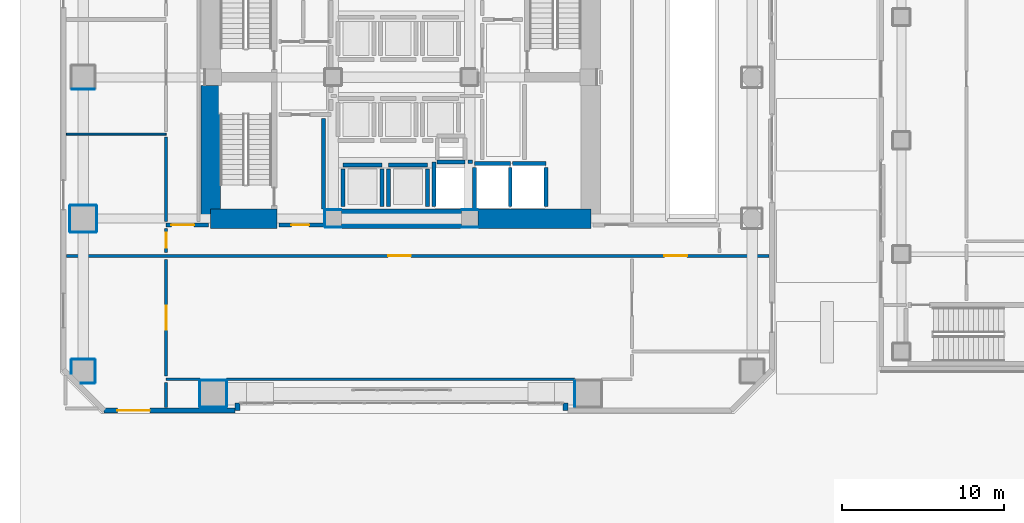
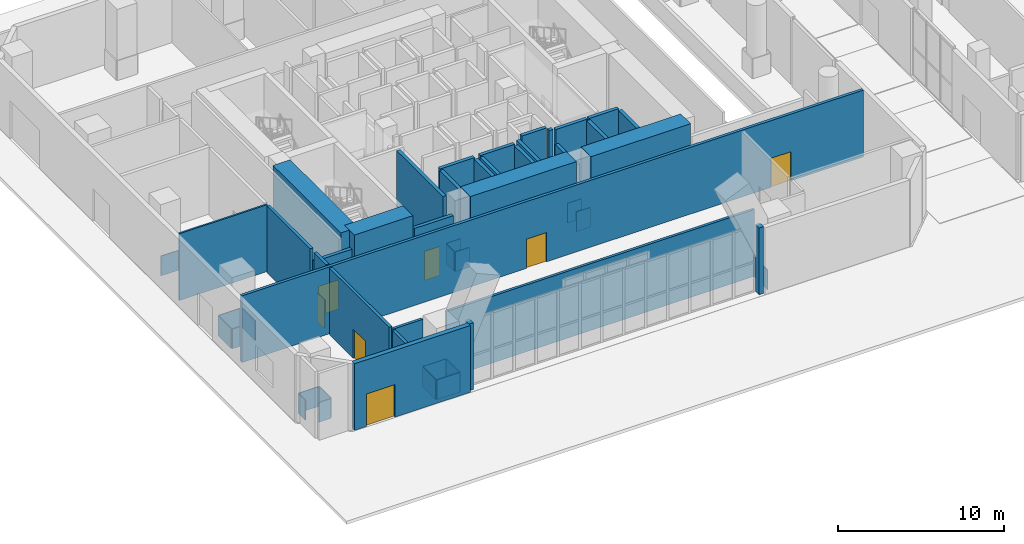
# One storey, part 19 of 30: 51 walls, 7 doors, 7 openings.
"""IFC4 building model written with IfcOpenShell, lengths in metres."""

from ifc_helpers import new_model, si_unit, direction, frame, frame_2d, origin, place, context, subcontext, project, spatial, rectangle, extrude, material, layer, layer_set, type_object, element, fill, save


model = new_model("IFC4")

# Units and contexts
model_context = context("Model", 3, precision=1e-05, world=origin(), true_north=direction((0.0, 1.0)))
body_context = subcontext(model_context, "Body", "Model", "MODEL_VIEW")
ifc_project = project(units=[si_unit("LENGTHUNIT", "METRE"), si_unit("AREAUNIT", "SQUARE_METRE"), si_unit("VOLUMEUNIT", "CUBIC_METRE"), si_unit("PLANEANGLEUNIT", "RADIAN"), si_unit("MASSUNIT", "GRAM", prefix="KILO")], contexts=[model_context])

# Site, building, storey
site_placement = place(None, origin())
site = spatial("IfcSite", under=ifc_project, at=site_placement, CompositionType="ELEMENT")
building_placement = place(site_placement, origin())
building = spatial("IfcBuilding", under=site, at=building_placement, Name="Solanera Arch Residences", CompositionType="ELEMENT")
storey_placement = place(building_placement, origin())
storey = spatial("IfcBuildingStorey", under=building, at=storey_placement, Name="L00", CompositionType="ELEMENT", Elevation=0.0)

# Walls
ifc_material_1 = material(Name="Fire-Rated Gypsum Stud Partition", Category="gypsum")
ifc_layer_1 = layer(ifc_material_1, 0.06005859375)
ifc_layer_set_1 = layer_set([ifc_layer_1], Name="Fire-Rated Gypsum Stud Partition")
wall_type_1 = type_object("IfcWallType", Name="Column Acoustic Furring Wall 60", PredefinedType="PARTITIONING", material=ifc_layer_set_1)
for number, where, z_axis, x_axis, name in (
    (1, (20.300048828125, 21.468017578125, 0.0), (0.0, 0.0, 1.0), (1.0, 0.0, 0.0), "L00 Column Furring 1S"),
    (2, (20.300048828125, 22.531982421875, 0.0), (0.0, 0.0, 1.0), (1.0, 0.0, 0.0), "L00 Column Furring 1N"),
):
    element("IfcWall", number, at=place(storey_placement, frame(where, z_axis=z_axis, x_axis=x_axis)), inside=storey, type_object=wall_type_1, Name=name, PredefinedType="PARTITIONING", context=body_context, shape_type="SweptSolid", body=[
        extrude(rectangle(XDim=0.989990234375, YDim=0.06005859375, at=frame_2d((0.4951171875, 0.0))), origin(), (0.0, 0.0, 1.0), 1.449951171875),
    ])
wall_1_placement = place(storey_placement, frame((20.26806640625, 21.5, 0.0), z_axis=(0.0, 0.0, 1.0), x_axis=(0.0, 1.0, 0.0)))
element("IfcWall", 3, at=wall_1_placement, inside=storey, type_object=wall_type_1, Name="L00 Column Furring 1W", PredefinedType="PARTITIONING", context=body_context, shape_type="SweptSolid", body=[
    extrude(rectangle(XDim=1.0, YDim=0.06005859375, at=frame_2d((0.5, 0.0))), origin(), (0.0, 0.0, 1.0), 1.449951171875),
])
for number, where, z_axis, x_axis, name in (
    (4, (28.7099609375, 21.468017578125, 0.0), (0.0, 0.0, 1.0), (1.0, 0.0, 0.0), "L00 Column Furring 2S"),
    (5, (28.7099609375, 22.531982421875, 0.0), (0.0, 0.0, 1.0), (1.0, 0.0, 0.0), "L00 Column Furring 2N"),
):
    element("IfcWall", number, at=place(storey_placement, frame(where, z_axis=z_axis, x_axis=x_axis)), inside=storey, type_object=wall_type_1, Name=name, PredefinedType="PARTITIONING", context=body_context, shape_type="SweptSolid", body=[
        extrude(rectangle(XDim=0.97998046875, YDim=0.06005859375, at=frame_2d((0.489990234375, 0.0))), origin(), (0.0, 0.0, 1.0), 1.449951171875),
    ])
for number, where, z_axis, x_axis, name in (
    (6, (12.60009765625, 10.367919921875, 0.0), (0.0, 0.0, 1.0), (1.0, 0.0, 0.0), "L00 Column Furring 9S"),
    (7, (12.60009765625, 12.031982421875, 0.0), (0.0, 0.0, 1.0), (1.0, 0.0, 0.0), "L00 Column Furring 9N"),
):
    element("IfcWall", number, at=place(storey_placement, frame(where, z_axis=z_axis, x_axis=x_axis)), inside=storey, type_object=wall_type_1, Name=name, PredefinedType="PARTITIONING", context=body_context, shape_type="SweptSolid", body=[
        extrude(rectangle(XDim=1.599853515625, YDim=0.06005859375, at=frame_2d((0.7998046875, 0.0))), origin(), (0.0, 0.0, 1.0), 1.449951171875),
    ])
for number, where, z_axis, x_axis, name in (
    (8, (12.568115234375, 10.39990234375, 0.0), (0.0, 0.0, 1.0), (0.0, 1.0, 0.0), "L00 Column Furring 9W"),
    (9, (14.23193359375, 10.39990234375, 0.0), (0.0, 0.0, 1.0), (0.0, 1.0, 0.0), "L00 Column Furring 9E"),
    (10, (35.66796875, 10.39990234375, 0.0), (0.0, 0.0, 1.0), (0.0, 1.0, 0.0), "L00 Column Furring 10W"),
):
    element("IfcWall", number, at=place(storey_placement, frame(where, z_axis=z_axis, x_axis=x_axis)), inside=storey, type_object=wall_type_1, Name=name, PredefinedType="PARTITIONING", context=body_context, shape_type="SweptSolid", body=[
        extrude(rectangle(XDim=1.60009765625, YDim=0.06005859375, at=frame_2d((0.800048828125, 0.0))), origin(), (0.0, 0.0, 1.0), 1.449951171875),
    ])
for number, where, z_axis, x_axis, name in (
    (11, (4.60009765625, 21.16796875, 0.0), (0.0, 0.0, 1.0), (1.0, 0.0, 0.0), "L00 Column Furring 15S"),
    (12, (4.60009765625, 22.83203125, 0.0), (0.0, 0.0, 1.0), (1.0, 0.0, 0.0), "L00 Column Furring 15N"),
):
    element("IfcWall", number, at=place(storey_placement, frame(where, z_axis=z_axis, x_axis=x_axis)), inside=storey, type_object=wall_type_1, Name=name, PredefinedType="PARTITIONING", context=body_context, shape_type="SweptSolid", body=[
        extrude(rectangle(XDim=1.599853515625, YDim=0.06005859375, at=frame_2d((0.7998046875, 0.0))), origin(), (0.0, 0.0, 1.0), 1.449951171875),
    ])
for number, where, z_axis, x_axis, name in (
    (13, (4.568115234375, 21.199951171875, 0.0), (0.0, 0.0, 1.0), (0.0, 1.0, 0.0), "L00 Column Furring 15W"),
    (14, (6.23193359375, 21.199951171875, 0.0), (0.0, 0.0, 1.0), (0.0, 1.0, 0.0), "L00 Column Furring 15E"),
):
    element("IfcWall", number, at=place(storey_placement, frame(where, z_axis=z_axis, x_axis=x_axis)), inside=storey, type_object=wall_type_1, Name=name, PredefinedType="PARTITIONING", context=body_context, shape_type="SweptSolid", body=[
        extrude(rectangle(XDim=1.60009765625, YDim=0.06005859375, at=frame_2d((0.800048828125, 0.0))), origin(), (0.0, 0.0, 1.0), 1.449951171875),
    ])
wall_2_placement = place(storey_placement, frame((4.699951171875, 29.968017578125, 0.0), z_axis=(0.0, 0.0, 1.0), x_axis=(1.0, 0.0, 0.0)))
element("IfcWall", 15, at=wall_2_placement, inside=storey, type_object=wall_type_1, Name="L00 Column Furring 16S", PredefinedType="PARTITIONING", context=body_context, shape_type="SweptSolid", body=[
    extrude(rectangle(XDim=1.400146484375, YDim=0.06005859375, at=frame_2d((0.7001953125, 0.0))), origin(), (0.0, 0.0, 1.0), 1.449951171875),
])
wall_3_placement = place(storey_placement, frame((5.239013671875, 11.867919921875, 0.0), z_axis=(0.0, 0.0, 1.0), x_axis=(1.0, 0.0, 0.0)))
element("IfcWall", 16, at=wall_3_placement, inside=storey, type_object=wall_type_1, Name="L00 Column Furring 21S", PredefinedType="PARTITIONING", context=body_context, shape_type="SweptSolid", body=[
    extrude(rectangle(XDim=0.861083984375, YDim=0.06005859375, at=frame_2d((0.4306640625, 0.0))), origin(), (0.0, 0.0, 1.0), 1.449951171875),
])
wall_4_placement = place(storey_placement, frame((4.699951171875, 13.33203125, 0.0), z_axis=(0.0, 0.0, 1.0), x_axis=(1.0, 0.0, 0.0)))
element("IfcWall", 17, at=wall_4_placement, inside=storey, type_object=wall_type_1, Name="L00 Column Furring 21N", PredefinedType="PARTITIONING", context=body_context, shape_type="SweptSolid", body=[
    extrude(rectangle(XDim=1.400146484375, YDim=0.06005859375, at=frame_2d((0.7001953125, 0.0))), origin(), (0.0, 0.0, 1.0), 1.449951171875),
])
wall_5_placement = place(storey_placement, frame((4.66796875, 12.43896484375, 0.0), z_axis=(0.0, 0.0, 1.0), x_axis=(0.0, 1.0, 0.0)))
element("IfcWall", 18, at=wall_5_placement, inside=storey, type_object=wall_type_1, Name="L00 Column Furring 21W", PredefinedType="PARTITIONING", context=body_context, shape_type="SweptSolid", body=[
    extrude(rectangle(XDim=0.861083984375, YDim=0.06005859375, at=frame_2d((0.4306640625, 0.0))), origin(), (0.0, 0.0, 1.0), 1.449951171875),
])
wall_6_placement = place(storey_placement, frame((6.132080078125, 11.89990234375, 0.0), z_axis=(0.0, 0.0, 1.0), x_axis=(0.0, 1.0, 0.0)))
element("IfcWall", 19, at=wall_6_placement, inside=storey, type_object=wall_type_1, Name="L00 Column Furring 21E", PredefinedType="PARTITIONING", context=body_context, shape_type="SweptSolid", body=[
    extrude(rectangle(XDim=1.400146484375, YDim=0.06005859375, at=frame_2d((0.7001953125, 0.0))), origin(), (0.0, 0.0, 1.0), 1.449951171875),
])
ifc_material_2 = material(Name="Concrete C55/67 (f'c = 60 MPa)", Category="concrete")
ifc_layer_2 = layer(ifc_material_2, 1.199951171875)
ifc_layer_set_2 = layer_set([ifc_layer_2], Name="Concrete C55/67 (f'c = 60 MPa)")
wall_type_2 = type_object("IfcWallType", Name="Core Shear Wall CW-1200", PredefinedType="SHEAR", material=ifc_layer_set_2)
wall_7_placement = place(storey_placement, frame((13.239990234375, 22.0, 0.0), z_axis=(0.0, 0.0, 1.0), x_axis=(0.0, 1.0, 0.0)))
element("IfcWall", 20, at=wall_7_placement, inside=storey, type_object=wall_type_2, Name="L00 West Core South Shear Wall", PredefinedType="SHEAR", context=body_context, shape_type="SweptSolid", body=[
    extrude(rectangle(XDim=8.195068359375, YDim=1.199951171875, at=frame_2d((4.09765625, 0.0))), origin(), (0.0, 0.0, 1.0), 5.199951171875),
])
wall_8_placement = place(storey_placement, frame((13.239990234375, 22.0, 0.0), z_axis=(0.0, 0.0, 1.0), x_axis=(1.0, 0.0, 0.0)))
element("IfcWall", 21, at=wall_8_placement, inside=storey, type_object=wall_type_2, Name="L00 South-West Core Shear Wall", PredefinedType="SHEAR", context=body_context, shape_type="SweptSolid", body=[
    extrude(rectangle(XDim=4.080078125, YDim=1.199951171875, at=frame_2d((2.0400390625, 0.0))), origin(), (0.0, 0.0, 1.0), 5.199951171875),
])
wall_9_placement = place(storey_placement, frame((29.705078125, 22.0, 0.0), z_axis=(0.0, 0.0, 1.0), x_axis=(1.0, 0.0, 0.0)))
element("IfcWall", 22, at=wall_9_placement, inside=storey, type_object=wall_type_2, Name="L00 South-East Core Shear Wall", PredefinedType="SHEAR", context=body_context, shape_type="SweptSolid", body=[
    extrude(rectangle(XDim=6.954833984375, YDim=1.199951171875, at=frame_2d((3.4775390625, 0.0))), origin(), (0.0, 0.0, 1.0), 5.199951171875),
])
wall_10_placement = place(storey_placement, frame((21.304931640625, 22.0, 0.0), z_axis=(0.0, 0.0, 1.0), x_axis=(1.0, 0.0, 0.0)))
element("IfcWall", 23, at=wall_10_placement, inside=storey, type_object=wall_type_2, Name="L00 Central South Core Shear Wall", PredefinedType="SHEAR", context=body_context, shape_type="SweptSolid", body=[
    extrude(rectangle(XDim=7.39013671875, YDim=1.199951171875, at=frame_2d((3.695068359375, 0.0))), origin(), (0.0, 0.0, 1.0), 5.199951171875),
])
ifc_material_3 = material(Name="Autoclaved Aerated Concrete Blockwork", Category="masonry")
ifc_layer_3 = layer(ifc_material_3, 0.179931640625)
ifc_layer_set_3 = layer_set([ifc_layer_3], Name="Autoclaved Aerated Concrete Blockwork")
wall_type_3 = type_object("IfcWallType", Name="Corridor Fire Partition 180", PredefinedType="PARTITIONING", material=ifc_layer_set_3)
wall_11_placement = place(storey_placement, frame((10.5, 12.10009765625, 0.0), z_axis=(0.0, 0.0, 1.0), x_axis=(1.0, 0.0, 0.0)))
element("IfcWall", 24, at=wall_11_placement, inside=storey, type_object=wall_type_3, Name="L00 Interior Partition H10 1", PredefinedType="PARTITIONING", context=body_context, shape_type="SweptSolid", body=[
    extrude(rectangle(XDim=2.080078125, YDim=0.179931640625, at=frame_2d((1.0400390625, 0.0))), origin(), (0.0, 0.0, 1.0), 4.919921875),
])
wall_12_placement = place(storey_placement, frame((14.219970703125, 12.10009765625, 0.0), z_axis=(0.0, 0.0, 1.0), x_axis=(1.0, 0.0, 0.0)))
element("IfcWall", 25, at=wall_12_placement, inside=storey, type_object=wall_type_3, Name="L00 Interior Partition H10 2", PredefinedType="PARTITIONING", context=body_context, shape_type="SweptSolid", body=[
    extrude(rectangle(XDim=21.4599609375, YDim=0.179931640625, at=frame_2d((10.72998046875, 0.0))), origin(), (0.0, 0.0, 1.0), 4.919921875),
])
ifc_material_4 = material(Name="Precast Concrete C35/45", Category="concrete")
ifc_layer_4 = layer(ifc_material_4, 0.320068359375)
ifc_layer_set_4 = layer_set([ifc_layer_4], Name="Precast Concrete C35/45")
wall_type_4 = type_object("IfcWallType", Name="Exterior Wall Precast Masonry-Frame 320", PredefinedType="STANDARD", material=ifc_layer_set_4)
for number, where, z_axis, x_axis, name in (
    (26, (35.10009765625, 10.179931640625, 0.0), (0.0, 0.0, 1.0), (0.0, 1.0, 0.0), "L00 Podium Arch East Reveal Jamb"),
    (27, (14.89990234375, 10.6298828125, 0.0), (0.0, 0.0, 1.0), (0.0, -1.0, 0.0), "L00 Podium Arch West Reveal Jamb"),
):
    element("IfcWall", number, at=place(storey_placement, frame(where, z_axis=z_axis, x_axis=x_axis)), inside=storey, type_object=wall_type_4, Name=name, PredefinedType="STANDARD", context=body_context, shape_type="SweptSolid", body=[
        extrude(rectangle(XDim=0.449951171875, YDim=0.320068359375, at=frame_2d((0.22509765625, 0.0))), origin(), (0.0, 0.0, 1.0), 4.919921875),
    ])

# Wall, opening, door
wall_13_placement = place(storey_placement, frame((14.739990234375, 10.179931640625, 0.0), z_axis=(0.0, 0.0, 1.0), x_axis=(-1.0, 0.0, 0.0)))
wall_13 = element("IfcWall", 28, at=wall_13_placement, inside=storey, type_object=wall_type_4, Name="L00 Podium South-West Precast Pier Wall", PredefinedType="STANDARD", context=body_context, shape_type="SweptSolid", body=[
    extrude(rectangle(XDim=8.06005859375, YDim=0.320068359375, at=frame_2d((4.030029296875, 0.0))), origin(), (0.0, 0.0, 1.0), 4.919921875),
])
opening_1_placement = place(wall_13_placement, frame((5.239990234375, 0.0, 0.0)))
opening_1 = element("IfcOpeningElement", 29, at=opening_1_placement, cuts=wall_13, Name="Opening EX-01", PredefinedType="OPENING", context=body_context, shape_type="SweptSolid", body=[
    extrude(rectangle(XDim=2.0, YDim=2.39990234375, at=frame_2d((1.0, 1.199951171875))), frame((0.0, 0.169921875, 0.0), z_axis=(0.0, -1.0, 0.0), x_axis=(1.0, 0.0, 0.0)), (0.0, 0.0, 1.0), 0.3401),
])
ifc_material_5 = material(Name="Anodised Aluminium Alloy 6063-T6", Category="aluminium")
door_type_1 = type_object("IfcDoorType", Name="Ground Final Exit Double Door EX-01", OperationType="NOTDEFINED", PredefinedType="DOOR", material=ifc_material_5)
door_1_placement = place(opening_1_placement, origin())
door_1 = element("IfcDoor", 30, at=door_1_placement, inside=storey, type_object=door_type_1, Name="DR-L00-EX-TWR-S", OperationType="DOUBLE_DOOR_SINGLE_SWING", OverallHeight=2.39990234375, OverallWidth=2.0, PredefinedType="DOOR", context=body_context, shape_type="SweptSolid", body=[
    extrude(rectangle(XDim=2.0, YDim=2.39990234375, at=frame_2d((1.0, 1.199951171875))), frame((0.0, 0.02490234375, 0.0), z_axis=(0.0, -1.0, 0.0), x_axis=(1.0, 0.0, 0.0)), (0.0, 0.0, 1.0), 0.050048828125),
])
fill(opening_1, door_1)

# Wall, openings, doors
ifc_material_6 = material(Name="Autoclaved Aerated Concrete Blockwork", Category="masonry")
ifc_layer_5 = layer(ifc_material_6, 0.199951171875)
ifc_layer_set_5 = layer_set([ifc_layer_5], Name="Autoclaved Aerated Concrete Blockwork")
wall_type_5 = type_object("IfcWallType", Name="Party Wall Acoustic 200", PredefinedType="PARTITIONING", material=ifc_layer_set_5)
wall_14_placement = place(storey_placement, frame((4.35205078125, 19.699951171875, 0.0), z_axis=(0.0, 0.0, 1.0), x_axis=(1.0, 0.0, 0.0)))
wall_14 = element("IfcWall", 31, at=wall_14_placement, inside=storey, type_object=wall_type_5, Name="L00 Interior Partition H8", PredefinedType="PARTITIONING", context=body_context, shape_type="SweptSolid", body=[
    extrude(rectangle(XDim=43.2958984375, YDim=0.199951171875, at=frame_2d((21.64794921875, 0.0))), origin(), (0.0, 0.0, 1.0), 4.919921875),
])
opening_2_placement = place(wall_14_placement, frame((19.822998046875, 0.0, 0.0)))
opening_2 = element("IfcOpeningElement", 32, at=opening_2_placement, cuts=wall_14, Name="Opening DF-03", PredefinedType="OPENING", context=body_context, shape_type="SweptSolid", body=[
    extrude(rectangle(XDim=1.39990234375, YDim=2.14990234375, at=frame_2d((0.699951171875, 1.074951171875))), frame((0.0, 0.110107421875, 0.0), z_axis=(0.0, -1.0, 0.0), x_axis=(1.0, 0.0, 0.0)), (0.0, 0.0, 1.0), 0.22),
])
opening_3_placement = place(wall_14_placement, frame((36.847900390625, 0.0, 0.0)))
opening_3 = element("IfcOpeningElement", 33, at=opening_3_placement, cuts=wall_14, Name="Opening DF-03", PredefinedType="OPENING", context=body_context, shape_type="SweptSolid", body=[
    extrude(rectangle(XDim=1.39990234375, YDim=2.14990234375, at=frame_2d((0.699951171875, 1.074951171875))), frame((0.0, 0.110107421875, 0.0), z_axis=(0.0, -1.0, 0.0), x_axis=(1.0, 0.0, 0.0)), (0.0, 0.0, 1.0), 0.22),
])
ifc_material_7 = material(Name="Fire-Rated Architectural Hardwood", Category="wood")
door_type_2 = type_object("IfcDoorType", Name="Corridor Smoke Door DF-03", OperationType="NOTDEFINED", PredefinedType="DOOR", material=ifc_material_7)
door_2_placement = place(opening_2_placement, origin())
door_2 = element("IfcDoor", 34, at=door_2_placement, inside=storey, type_object=door_type_2, Name="DR-L00-IN-017", OperationType="SINGLE_SWING_LEFT", OverallHeight=2.14990234375, OverallWidth=1.39990234375, PredefinedType="DOOR", context=body_context, shape_type="SweptSolid", body=[
    extrude(rectangle(XDim=1.39990234375, YDim=2.14990234375, at=frame_2d((0.699951171875, 1.074951171875))), frame((0.0, 0.02490234375, 0.0), z_axis=(0.0, -1.0, 0.0), x_axis=(1.0, 0.0, 0.0)), (0.0, 0.0, 1.0), 0.050048828125),
])
fill(opening_2, door_2)
door_3_placement = place(opening_3_placement, origin())
door_3 = element("IfcDoor", 35, at=door_3_placement, inside=storey, type_object=door_type_2, Name="DR-L00-IN-018", OperationType="SINGLE_SWING_RIGHT", OverallHeight=2.14990234375, OverallWidth=1.39990234375, PredefinedType="DOOR", context=body_context, shape_type="SweptSolid", body=[
    extrude(rectangle(XDim=1.39990234375, YDim=2.14990234375, at=frame_2d((0.699951171875, 1.074951171875))), frame((0.0, 0.02490234375, 0.0), z_axis=(0.0, -1.0, 0.0), x_axis=(1.0, 0.0, 0.0)), (0.0, 0.0, 1.0), 0.050048828125),
])
fill(opening_3, door_3)

# Wall
wall_15_placement = place(storey_placement, frame((10.5, 10.35205078125, 0.0), z_axis=(0.0, 0.0, 1.0), x_axis=(0.0, 1.0, 0.0)))
element("IfcWall", 36, at=wall_15_placement, inside=storey, type_object=wall_type_5, Name="L00 Interior Partition V8 1", PredefinedType="PARTITIONING", context=body_context, shape_type="SweptSolid", body=[
    extrude(rectangle(XDim=1.550048828125, YDim=0.199951171875, at=frame_2d((0.77490234375, 0.0))), origin(), (0.0, 0.0, 1.0), 4.919921875),
])

# Wall, opening, door
wall_16_placement = place(storey_placement, frame((10.5, 12.298095703125, 0.0), z_axis=(0.0, 0.0, 1.0), x_axis=(0.0, 1.0, 0.0)))
wall_16 = element("IfcWall", 37, at=wall_16_placement, inside=storey, type_object=wall_type_5, Name="L00 Interior Partition V8 2", PredefinedType="PARTITIONING", context=body_context, shape_type="SweptSolid", body=[
    extrude(rectangle(XDim=7.19384765625, YDim=0.199951171875, at=frame_2d((3.596923828125, 0.0))), origin(), (0.0, 0.0, 1.0), 4.919921875),
])
opening_4_placement = place(wall_16_placement, frame((2.837890625, 0.0, 0.0)))
opening_4 = element("IfcOpeningElement", 38, at=opening_4_placement, cuts=wall_16, Name="Opening DP-01", PredefinedType="OPENING", context=body_context, shape_type="SweptSolid", body=[
    extrude(rectangle(XDim=1.5, YDim=2.14990234375, at=frame_2d((0.75, 1.074951171875))), frame((0.0, 0.110107421875, 0.0), z_axis=(0.0, -1.0, 0.0), x_axis=(1.0, 0.0, 0.0)), (0.0, 0.0, 1.0), 0.22),
])
ifc_material_8 = material(Name="Fire-Rated Architectural Hardwood", Category="wood")
door_type_3 = type_object("IfcDoorType", Name="Plant Double Fire Door DP-01", OperationType="NOTDEFINED", PredefinedType="DOOR", material=ifc_material_8)
door_4_placement = place(opening_4_placement, origin())
door_4 = element("IfcDoor", 39, at=door_4_placement, inside=storey, type_object=door_type_3, Name="DR-L00-IN-032", OperationType="SINGLE_SWING_RIGHT", OverallHeight=2.14990234375, OverallWidth=1.5, PredefinedType="DOOR", context=body_context, shape_type="SweptSolid", body=[
    extrude(rectangle(XDim=1.5, YDim=2.14990234375, at=frame_2d((0.75, 1.074951171875))), frame((0.0, 0.02490234375, 0.0), z_axis=(0.0, -1.0, 0.0), x_axis=(1.0, 0.0, 0.0)), (0.0, 0.0, 1.0), 0.050048828125),
])
fill(opening_4, door_4)

wall_17_placement = place(storey_placement, frame((10.5, 19.907958984375, 0.0), z_axis=(0.0, 0.0, 1.0), x_axis=(0.0, 1.0, 0.0)))
wall_17 = element("IfcWall", 40, at=wall_17_placement, inside=storey, type_object=wall_type_5, Name="L00 Interior Partition V8 3", PredefinedType="PARTITIONING", context=body_context, shape_type="SweptSolid", body=[
    extrude(rectangle(XDim=1.464111328125, YDim=0.199951171875, at=frame_2d((0.73193359375, 0.0))), origin(), (0.0, 0.0, 1.0), 4.919921875),
])
opening_5_placement = place(wall_17_placement, frame((0.305908203125, 0.0, 0.0)))
opening_5 = element("IfcOpeningElement", 41, at=opening_5_placement, cuts=wall_17, Name="Opening DI-02", PredefinedType="OPENING", context=body_context, shape_type="SweptSolid", body=[
    extrude(rectangle(XDim=0.89990234375, YDim=2.10009765625, at=frame_2d((0.449951171875, 1.050048828125))), frame((0.0, 0.110107421875, 0.0), z_axis=(0.0, -1.0, 0.0), x_axis=(1.0, 0.0, 0.0)), (0.0, 0.0, 1.0), 0.22),
])
ifc_material_9 = material(Name="Fire-Rated Architectural Hardwood", Category="wood")
door_type_4 = type_object("IfcDoorType", Name="Suite Room Swing Door DI-02", OperationType="NOTDEFINED", PredefinedType="DOOR", material=ifc_material_9)
door_5_placement = place(opening_5_placement, origin())
door_5 = element("IfcDoor", 42, at=door_5_placement, inside=storey, type_object=door_type_4, Name="DR-L00-IN-033", OperationType="SINGLE_SWING_LEFT", OverallHeight=2.10009765625, OverallWidth=0.89990234375, PredefinedType="DOOR", context=body_context, shape_type="SweptSolid", body=[
    extrude(rectangle(XDim=0.89990234375, YDim=2.10009765625, at=frame_2d((0.449951171875, 1.050048828125))), frame((0.0, 0.02490234375, 0.0), z_axis=(0.0, -1.0, 0.0), x_axis=(1.0, 0.0, 0.0)), (0.0, 0.0, 1.0), 0.050048828125),
])
fill(opening_5, door_5)

# Walls
wall_18_placement = place(storey_placement, frame((10.5, 21.827880859375, 0.0), z_axis=(0.0, 0.0, 1.0), x_axis=(0.0, 1.0, 0.0)))
element("IfcWall", 43, at=wall_18_placement, inside=storey, type_object=wall_type_5, Name="L00 Interior Partition V8 4", PredefinedType="PARTITIONING", context=body_context, shape_type="SweptSolid", body=[
    extrude(rectangle(XDim=5.2041015625, YDim=0.199951171875, at=frame_2d((2.60205078125, 0.0))), origin(), (0.0, 0.0, 1.0), 4.919921875),
])
ifc_material_10 = material(Name="Concrete C40/50 (f'c = 45 MPa)", Category="concrete")
ifc_layer_6 = layer(ifc_material_10, 0.239990234375)
ifc_layer_set_6 = layer_set([ifc_layer_6], Name="Concrete C40/50 (f'c = 45 MPa)")
wall_type_6 = type_object("IfcWallType", Name="Ramp Bearing Shear Wall RW-240", PredefinedType="SHEAR", material=ifc_layer_set_6)
wall_19_placement = place(storey_placement, frame((27.199951171875, 25.47998046875, 0.0), z_axis=(0.0, 0.0, 1.0), x_axis=(1.0, 0.0, 0.0)))
element("IfcWall", 44, at=wall_19_placement, inside=storey, type_object=wall_type_6, Name="L00 Core MEP Riser South Shaft Wall", PredefinedType="SHEAR", context=body_context, shape_type="SweptSolid", body=[
    extrude(rectangle(XDim=1.699951171875, YDim=0.239990234375, at=frame_2d((0.85009765625, 0.0))), origin(), (0.0, 0.0, 1.0), 5.199951171875),
])
ifc_material_11 = material(Name="Autoclaved Aerated Concrete Blockwork", Category="masonry")
ifc_layer_7 = layer(ifc_material_11, 0.239990234375)
ifc_layer_set_7 = layer_set([ifc_layer_7], Name="Autoclaved Aerated Concrete Blockwork")
wall_type_7 = type_object("IfcWallType", Name="Shaft Wall Fire-Rated 240", PredefinedType="PARTITIONING", material=ifc_layer_set_7)
wall_20_placement = place(storey_placement, frame((21.39990234375, 25.300048828125, 0.0), z_axis=(0.0, 0.0, 1.0), x_axis=(1.0, 0.0, 0.0)))
element("IfcWall", 45, at=wall_20_placement, inside=storey, type_object=wall_type_7, Name="L00 Lift PL-OBS1 Hoistway Wall N", PredefinedType="PARTITIONING", context=body_context, shape_type="SweptSolid", body=[
    extrude(rectangle(XDim=2.400146484375, YDim=0.239990234375, at=frame_2d((1.2001953125, 0.0))), origin(), (0.0, 0.0, 1.0), 4.919921875),
])
for number, where, z_axis, x_axis, name in (
    (46, (21.39990234375, 22.72998046875, 0.0), (0.0, 0.0, 1.0), (0.0, 1.0, 0.0), "L00 Lift PL-OBS1 Hoistway Wall W"),
    (47, (23.800048828125, 22.72998046875, 0.0), (0.0, 0.0, 1.0), (0.0, 1.0, 0.0), "L00 Lift PL-OBS1 Hoistway Wall E"),
):
    element("IfcWall", number, at=place(storey_placement, frame(where, z_axis=z_axis, x_axis=x_axis)), inside=storey, type_object=wall_type_7, Name=name, PredefinedType="PARTITIONING", context=body_context, shape_type="SweptSolid", body=[
        extrude(rectangle(XDim=2.322021484375, YDim=0.239990234375, at=frame_2d((1.1611328125, 0.0))), origin(), (0.0, 0.0, 1.0), 4.919921875),
    ])
wall_21_placement = place(storey_placement, frame((24.199951171875, 25.300048828125, 0.0), z_axis=(0.0, 0.0, 1.0), x_axis=(1.0, 0.0, 0.0)))
element("IfcWall", 48, at=wall_21_placement, inside=storey, type_object=wall_type_7, Name="L00 Lift PL-OBS2 Hoistway Wall N", PredefinedType="PARTITIONING", context=body_context, shape_type="SweptSolid", body=[
    extrude(rectangle(XDim=2.400146484375, YDim=0.239990234375, at=frame_2d((1.2001953125, 0.0))), origin(), (0.0, 0.0, 1.0), 4.919921875),
])
for number, where, z_axis, x_axis, name in (
    (49, (24.199951171875, 22.72998046875, 0.0), (0.0, 0.0, 1.0), (0.0, 1.0, 0.0), "L00 Lift PL-OBS2 Hoistway Wall W"),
    (50, (26.60009765625, 22.72998046875, 0.0), (0.0, 0.0, 1.0), (0.0, 1.0, 0.0), "L00 Lift PL-OBS2 Hoistway Wall E"),
):
    element("IfcWall", number, at=place(storey_placement, frame(where, z_axis=z_axis, x_axis=x_axis)), inside=storey, type_object=wall_type_7, Name=name, PredefinedType="PARTITIONING", context=body_context, shape_type="SweptSolid", body=[
        extrude(rectangle(XDim=2.322021484375, YDim=0.239990234375, at=frame_2d((1.1611328125, 0.0))), origin(), (0.0, 0.0, 1.0), 4.919921875),
    ])
wall_22_placement = place(storey_placement, frame((29.5, 25.39990234375, 0.0), z_axis=(0.0, 0.0, 1.0), x_axis=(1.0, 0.0, 0.0)))
element("IfcWall", 51, at=wall_22_placement, inside=storey, type_object=wall_type_7, Name="L00 Lift FFL-1 Hoistway Wall N", PredefinedType="PARTITIONING", context=body_context, shape_type="SweptSolid", body=[
    extrude(rectangle(XDim=2.199951171875, YDim=0.239990234375, at=frame_2d((1.10009765625, 0.0))), origin(), (0.0, 0.0, 1.0), 4.919921875),
])
wall_23_placement = place(storey_placement, frame((29.5, 22.632080078125, 0.0), z_axis=(0.0, 0.0, 1.0), x_axis=(0.0, 1.0, 0.0)))
element("IfcWall", 52, at=wall_23_placement, inside=storey, type_object=wall_type_7, Name="L00 Lift FFL-1 Hoistway Wall W", PredefinedType="PARTITIONING", context=body_context, shape_type="SweptSolid", body=[
    extrude(rectangle(XDim=2.52001953125, YDim=0.239990234375, at=frame_2d((1.260009765625, 0.0))), origin(), (0.0, 0.0, 1.0), 3.955078125),
])
wall_24_placement = place(storey_placement, frame((31.699951171875, 22.72998046875, 0.0), z_axis=(0.0, 0.0, 1.0), x_axis=(0.0, 1.0, 0.0)))
element("IfcWall", 53, at=wall_24_placement, inside=storey, type_object=wall_type_7, Name="L00 Lift FFL-1 Hoistway Wall E", PredefinedType="PARTITIONING", context=body_context, shape_type="SweptSolid", body=[
    extrude(rectangle(XDim=2.422119140625, YDim=0.239990234375, at=frame_2d((1.2109375, 0.0))), origin(), (0.0, 0.0, 1.0), 4.919921875),
])
wall_25_placement = place(storey_placement, frame((31.827880859375, 25.39990234375, 0.0), z_axis=(0.0, 0.0, 1.0), x_axis=(1.0, 0.0, 0.0)))
element("IfcWall", 54, at=wall_25_placement, inside=storey, type_object=wall_type_7, Name="L00 Lift FFL-2 Hoistway Wall N", PredefinedType="PARTITIONING", context=body_context, shape_type="SweptSolid", body=[
    extrude(rectangle(XDim=2.072021484375, YDim=0.239990234375, at=frame_2d((1.0361328125, 0.0))), origin(), (0.0, 0.0, 1.0), 4.919921875),
])
wall_26_placement = place(storey_placement, frame((33.89990234375, 22.72998046875, 0.0), z_axis=(0.0, 0.0, 1.0), x_axis=(0.0, 1.0, 0.0)))
element("IfcWall", 55, at=wall_26_placement, inside=storey, type_object=wall_type_7, Name="L00 Lift FFL-2 Hoistway Wall E", PredefinedType="PARTITIONING", context=body_context, shape_type="SweptSolid", body=[
    extrude(rectangle(XDim=2.422119140625, YDim=0.239990234375, at=frame_2d((1.2109375, 0.0))), origin(), (0.0, 0.0, 1.0), 4.919921875),
])
wall_27_placement = place(storey_placement, frame((29.10302734375, 25.5, 0.0), z_axis=(0.0, 0.0, 1.0), x_axis=(1.0, 0.0, 0.0)))
element("IfcWall", 56, at=wall_27_placement, inside=storey, type_object=wall_type_7, Name="L00 Lift SVL-1 Hoistway Wall N", PredefinedType="PARTITIONING", context=body_context, shape_type="SweptSolid", body=[
    extrude(rectangle(XDim=0.26904296875, YDim=0.239990234375, at=frame_2d((0.134521484375, 0.0))), origin(), (0.0, 0.0, 1.0), 4.919921875),
])
wall_28_placement = place(storey_placement, frame((27.0, 22.72998046875, 0.0), z_axis=(0.0, 0.0, 1.0), x_axis=(0.0, 1.0, 0.0)))
element("IfcWall", 57, at=wall_28_placement, inside=storey, type_object=wall_type_7, Name="L00 Lift SVL-1 Hoistway Wall W", PredefinedType="PARTITIONING", context=body_context, shape_type="SweptSolid", body=[
    extrude(rectangle(XDim=2.76806640625, YDim=0.239990234375, at=frame_2d((1.384033203125, 0.0))), origin(), (0.0, 0.0, 1.0), 4.919921875),
])

# Wall, opening, door
wall_29_placement = place(storey_placement, frame((20.16796875, 21.60009765625, 0.0), z_axis=(0.0, 0.0, 1.0), x_axis=(-1.0, 0.0, 0.0)))
wall_29 = element("IfcWall", 58, at=wall_29_placement, inside=storey, type_object=wall_type_7, Name="L00 Interior Partition H1 2", PredefinedType="PARTITIONING", context=body_context, shape_type="SweptSolid", body=[
    extrude(rectangle(XDim=2.718017578125, YDim=0.239990234375, at=frame_2d((1.35888671875, 0.0))), origin(), (0.0, 0.0, 1.0), 4.155029296875),
])
opening_6_placement = place(wall_29_placement, frame((0.85791015625, 0.0, 0.0)))
opening_6 = element("IfcOpeningElement", 59, at=opening_6_placement, cuts=wall_29, Name="Opening DF-02", PredefinedType="OPENING", context=body_context, shape_type="SweptSolid", body=[
    extrude(rectangle(XDim=1.10009765625, YDim=2.14990234375, at=frame_2d((0.550048828125, 1.074951171875))), frame((0.0, 0.1298828125, 0.0), z_axis=(0.0, -1.0, 0.0), x_axis=(1.0, 0.0, 0.0)), (0.0, 0.0, 1.0), 0.26),
])
ifc_material_12 = material(Name="Fire-Rated Architectural Hardwood", Category="wood")
door_type_5 = type_object("IfcDoorType", Name="Firefighting Lobby Fire Door DF-02", OperationType="NOTDEFINED", PredefinedType="DOOR", material=ifc_material_12)
door_6_placement = place(opening_6_placement, origin())
door_6 = element("IfcDoor", 60, at=door_6_placement, inside=storey, type_object=door_type_5, Name="DR-L00-IN-013", OperationType="SINGLE_SWING_LEFT", OverallHeight=2.14990234375, OverallWidth=1.10009765625, PredefinedType="DOOR", context=body_context, shape_type="SweptSolid", body=[
    extrude(rectangle(XDim=1.10009765625, YDim=2.14990234375, at=frame_2d((0.550048828125, 1.074951171875))), frame((0.0, 0.02490234375, 0.0), z_axis=(0.0, -1.0, 0.0), x_axis=(1.0, 0.0, 0.0)), (0.0, 0.0, 1.0), 0.050048828125),
])
fill(opening_6, door_6)

wall_30_placement = place(storey_placement, frame((13.110107421875, 21.60009765625, 0.0), z_axis=(0.0, 0.0, 1.0), x_axis=(-1.0, 0.0, 0.0)))
wall_30 = element("IfcWall", 61, at=wall_30_placement, inside=storey, type_object=wall_type_7, Name="L00 Interior Partition H1 3", PredefinedType="PARTITIONING", context=body_context, shape_type="SweptSolid", body=[
    extrude(rectangle(XDim=2.610107421875, YDim=0.239990234375, at=frame_2d((1.30517578125, 0.0))), origin(), (0.0, 0.0, 1.0), 4.155029296875),
])
opening_7_placement = place(wall_30_placement, frame((0.885986328125, 0.0, 0.0)))
opening_7 = element("IfcOpeningElement", 62, at=opening_7_placement, cuts=wall_30, Name="Opening DF-03", PredefinedType="OPENING", context=body_context, shape_type="SweptSolid", body=[
    extrude(rectangle(XDim=1.39990234375, YDim=2.14990234375, at=frame_2d((0.699951171875, 1.074951171875))), frame((0.0, 0.1298828125, 0.0), z_axis=(0.0, -1.0, 0.0), x_axis=(1.0, 0.0, 0.0)), (0.0, 0.0, 1.0), 0.26),
])
door_7_placement = place(opening_7_placement, origin())
door_7 = element("IfcDoor", 63, at=door_7_placement, inside=storey, type_object=door_type_2, Name="DR-L00-IN-015", OperationType="SINGLE_SWING_LEFT", OverallHeight=2.14990234375, OverallWidth=1.39990234375, PredefinedType="DOOR", context=body_context, shape_type="SweptSolid", body=[
    extrude(rectangle(XDim=1.39990234375, YDim=2.14990234375, at=frame_2d((0.699951171875, 1.074951171875))), frame((0.0, 0.02490234375, 0.0), z_axis=(0.0, -1.0, 0.0), x_axis=(1.0, 0.0, 0.0)), (0.0, 0.0, 1.0), 0.050048828125),
])
fill(opening_7, door_7)

# Walls
wall_31_placement = place(storey_placement, frame((20.199951171875, 22.5859375, 0.0), z_axis=(0.0, 0.0, 1.0), x_axis=(0.0, 1.0, 0.0)))
element("IfcWall", 64, at=wall_31_placement, inside=storey, type_object=wall_type_7, Name="L00 Interior Partition V2", PredefinedType="PARTITIONING", context=body_context, shape_type="SweptSolid", body=[
    extrude(rectangle(XDim=5.566162109375, YDim=0.239990234375, at=frame_2d((2.783203125, 0.0))), origin(), (0.0, 0.0, 1.0), 4.919921875),
])
ifc_material_13 = material(Name="Fire-Rated Gypsum Stud Partition", Category="gypsum")
ifc_layer_8 = layer(ifc_material_13, 0.1201171875)
ifc_layer_set_8 = layer_set([ifc_layer_8], Name="Fire-Rated Gypsum Stud Partition")
wall_type_8 = type_object("IfcWallType", Name="Unit Drywall Partition 120", PredefinedType="PARTITIONING", material=ifc_layer_set_8)
wall_32_placement = place(storey_placement, frame((4.35205078125, 27.199951171875, 0.0), z_axis=(0.0, 0.0, 1.0), x_axis=(1.0, 0.0, 0.0)))
element("IfcWall", 65, at=wall_32_placement, inside=storey, type_object=wall_type_8, Name="L00 Interior Partition H28", PredefinedType="PARTITIONING", context=body_context, shape_type="SweptSolid", body=[
    extrude(rectangle(XDim=6.14794921875, YDim=0.1201171875, at=frame_2d((3.073974609375, 0.0))), origin(), (0.0, 0.0, 1.0), 4.919921875),
])

save(model, "model.ifc")
